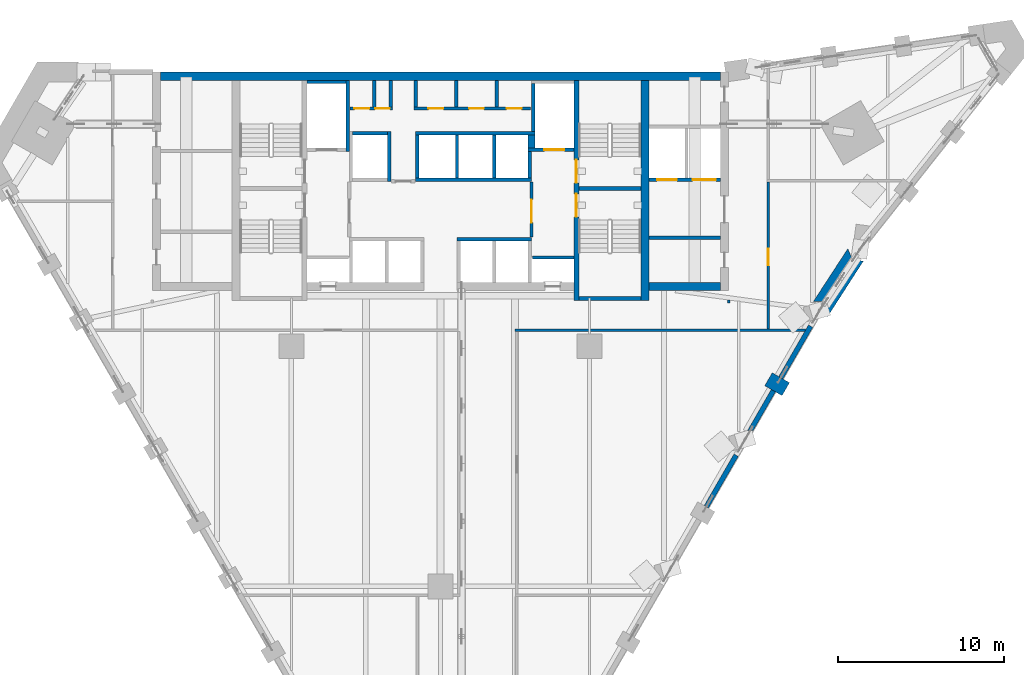
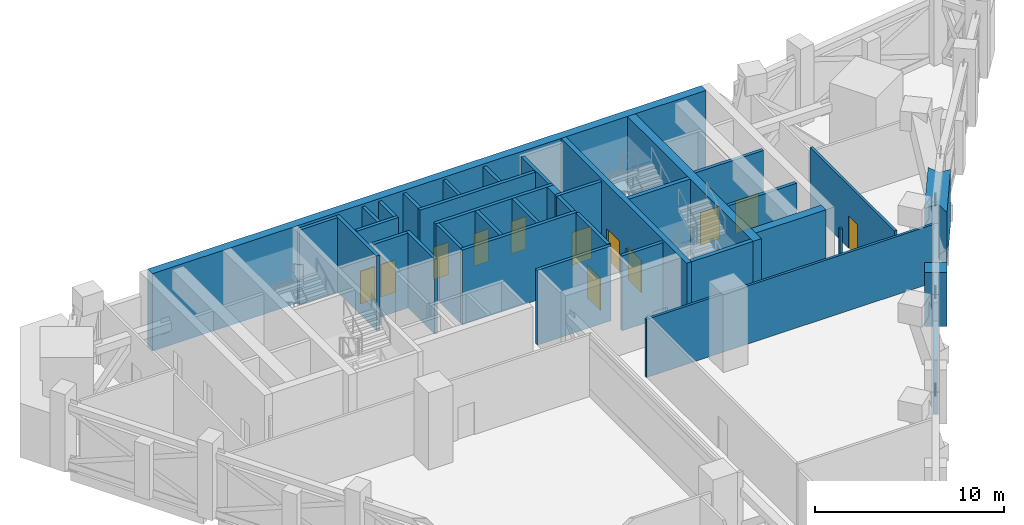
# One storey, part 10 of 20: 39 walls, 12 doors, 12 openings.
"""IFC4 building model written with IfcOpenShell, lengths in metres."""

from ifc_helpers import new_model, si_unit, direction, frame, frame_2d, origin, place, context, subcontext, project, spatial, polyline, rectangle, outline, extrude, material, layer, layer_set, type_object, element, fill, save


model = new_model("IFC4")

# Units and contexts
model_context = context("Model", 3, precision=1e-05, world=origin(), true_north=direction((0.0, 1.0)))
body_context = subcontext(model_context, "Body", "Model", "MODEL_VIEW")
ifc_project = project(units=[si_unit("LENGTHUNIT", "METRE"), si_unit("AREAUNIT", "SQUARE_METRE"), si_unit("VOLUMEUNIT", "CUBIC_METRE"), si_unit("PLANEANGLEUNIT", "RADIAN"), si_unit("MASSUNIT", "GRAM", prefix="KILO")], contexts=[model_context])

# Site, building, storey
site_placement = place(None, origin())
site = spatial("IfcSite", under=ifc_project, at=site_placement, CompositionType="ELEMENT")
building_placement = place(site_placement, origin())
building = spatial("IfcBuilding", under=site, at=building_placement, Name="Calabash Gate Tower", CompositionType="ELEMENT")
storey_placement = place(building_placement, frame((0.0, 0.0, 139.60009765625)))
storey = spatial("IfcBuildingStorey", under=building, at=storey_placement, Name="L32", CompositionType="ELEMENT", Elevation=139.60009765625)

# Walls
ifc_material_1 = material(Name="Terracotta brick masonry, exposed face", Category="masonry")
ifc_layer_1 = layer(ifc_material_1, 1.199951171875)
ifc_layer_set_1 = layer_set([ifc_layer_1], Name="Brick end wall 1200")
wall_type_1 = type_object("IfcWallType", Name="Brick end wall 1200", PredefinedType="SOLIDWALL", material=ifc_layer_set_1)
wall_1_placement = place(storey_placement, frame((19.8076171875, 0.503173828125, 0.0), z_axis=(0.0, 0.0, 1.0), x_axis=(0.866006032174, -0.500033551112, 0.0)))
element("IfcWall", 1, at=wall_1_placement, inside=storey, type_object=wall_type_1, Name="Brick pier L32 SE4.5", PredefinedType="SOLIDWALL", context=body_context, shape_type="SweptSolid", body=[
    extrude(rectangle(XDim=1.2001953125, YDim=0.89990234375, at=frame_2d((0.60009765625, 0.0))), origin(), (0.0, 0.0, 1.0), 3.5),
])
wall_2_placement = place(storey_placement, origin())
element("IfcWall", 2, at=wall_2_placement, inside=storey, type_object=wall_type_1, Name="Brick end wall L32 4", PredefinedType="SOLIDWALL", context=body_context, shape_type="SweptSolid", body=[
    extrude(outline(polyline([(24.5966796875, 8.38427734375), (22.52001953125, 5.200927734375), (23.3759765625, 5.200927734375), (23.3759765625, 4.283447265625), (25.537841796875, 7.639892578125), (24.8798828125, 7.720947265625), (24.5966796875, 8.38427734375)])), origin(), (0.0, 0.0, 1.0), 3.5),
])
ifc_material_2 = material(Name="Gypsum board on steel studs, mineral wool", Category="steel")
ifc_layer_2 = layer(ifc_material_2, 0.199951171875)
ifc_layer_set_2 = layer_set([ifc_layer_2], Name="Core partition 200 gypsum board")
wall_type_2 = type_object("IfcWallType", Name="Core partition 200 gypsum board", PredefinedType="PARTITIONING", material=ifc_layer_set_2)
wall_3_placement = place(storey_placement, frame((12.60009765625, 9.052490234375, 0.0), z_axis=(0.0, 0.0, 1.0), x_axis=(1.0, 0.0, 0.0)))
element("IfcWall", 3, at=wall_3_placement, inside=storey, type_object=wall_type_2, Name="Core partition", PredefinedType="PARTITIONING", context=body_context, shape_type="SweptSolid", body=[
    extrude(rectangle(XDim=4.2998046875, YDim=0.199951171875, at=frame_2d((2.14990234375, 0.0))), origin(), (0.0, 0.0, 1.0), 4.829833984375),
])
for number, where, z_axis, x_axis, name in (
    (4, (-4.0, 16.95263671875, 0.0), (0.0, 0.0, 1.0), (0.0, 1.0, 0.0), "Core partition"),
    (5, (-3.0, 16.95263671875, 0.0), (0.0, 0.0, 1.0), (0.0, 1.0, 0.0), "Core partition"),
    (6, (-1.5, 16.95263671875, 0.0), (0.0, 0.0, 1.0), (0.0, 1.0, 0.0), "Core partition"),
    (7, (0.949951171875, 16.95263671875, 0.0), (0.0, 0.0, 1.0), (0.0, 1.0, 0.0), "Core partition"),
    (8, (3.39990234375, 16.95263671875, 0.0), (0.0, 0.0, 1.0), (0.0, 1.0, 0.0), "Core partition"),
):
    element("IfcWall", number, at=place(storey_placement, frame(where, z_axis=z_axis, x_axis=x_axis)), inside=storey, type_object=wall_type_2, Name=name, PredefinedType="PARTITIONING", context=body_context, shape_type="SweptSolid", body=[
        extrude(rectangle(XDim=1.599853515625, YDim=0.199951171875, at=frame_2d((0.7998046875, 0.0))), origin(), (0.0, 0.0, 1.0), 4.829833984375),
    ])
ifc_material_3 = material(Name="Concrete C80/95", Category="concrete")
ifc_layer_3 = layer(ifc_material_3, 0.25)
ifc_layer_set_3 = layer_set([ifc_layer_3], Name="Core wall 250 Concrete C80/95")
wall_type_3 = type_object("IfcWallType", Name="Core wall 250 Concrete C80/95", PredefinedType="SHEAR", material=ifc_layer_set_3)
for number, where, z_axis, x_axis, name in (
    (9, (8.35009765625, 12.027587890625, 0.0), (0.0, 0.0, 1.0), (1.0, 0.0, 0.0), "Core wall Z2-MIDE L32"),
    (10, (8.35009765625, 5.377685546875, 0.0), (0.0, 0.0, 1.0), (1.0, 0.0, 0.0), "Core wall Z2-SSE L32"),
):
    element("IfcWall", number, at=place(storey_placement, frame(where, z_axis=z_axis, x_axis=x_axis)), inside=storey, type_object=wall_type_3, Name=name, PredefinedType="SHEAR", context=body_context, shape_type="SweptSolid", body=[
        extrude(rectangle(XDim=3.75, YDim=0.25, at=frame_2d((1.875, 0.0))), origin(), (0.0, 0.0, 1.0), 5.0),
    ])

# Wall, openings, doors
ifc_material_4 = material(Name="Concrete C80/95", Category="concrete")
ifc_layer_4 = layer(ifc_material_4, 0.300048828125)
ifc_layer_set_4 = layer_set([ifc_layer_4], Name="Core wall 300 Concrete C80/95")
wall_type_4 = type_object("IfcWallType", Name="Core wall 300 Concrete C80/95", PredefinedType="SHEAR", material=ifc_layer_set_4)
wall_4_placement = place(storey_placement, frame((8.199951171875, 5.252685546875, 0.0), z_axis=(0.0, 0.0, 1.0), x_axis=(0.0, 1.0, 0.0)))
wall_4 = element("IfcWall", 11, at=wall_4_placement, inside=storey, type_object=wall_type_4, Name="Core wall Z2-PARTE L32", PredefinedType="SHEAR", context=body_context, shape_type="SweptSolid", body=[
    extrude(rectangle(XDim=13.2998046875, YDim=0.300048828125, at=frame_2d((6.64990234375, 0.0))), origin(), (0.0, 0.0, 1.0), 5.0),
])
opening_1_placement = place(wall_4_placement, frame((7.10009765625, 0.0, 0.0)))
opening_1 = element("IfcOpeningElement", 12, at=opening_1_placement, cuts=wall_4, Name="Opening L32-003", PredefinedType="OPENING", context=body_context, shape_type="SweptSolid", body=[
    extrude(rectangle(XDim=1.39990234375, YDim=2.10009765625, at=frame_2d((0.699951171875, 1.050048828125))), frame((0.0, 0.159912109375, 0.0), z_axis=(0.0, -1.0, 0.0), x_axis=(1.0, 0.0, 0.0)), (0.0, 0.0, 1.0), 0.320068359375),
])
opening_2_placement = place(wall_4_placement, frame((5.050048828125, 0.0, 0.0)))
opening_2 = element("IfcOpeningElement", 13, at=opening_2_placement, cuts=wall_4, Name="Opening L32-004", PredefinedType="OPENING", context=body_context, shape_type="SweptSolid", body=[
    extrude(rectangle(XDim=1.39990234375, YDim=2.10009765625, at=frame_2d((0.699951171875, 1.050048828125))), frame((0.0, 0.159912109375, 0.0), z_axis=(0.0, -1.0, 0.0), x_axis=(1.0, 0.0, 0.0)), (0.0, 0.0, 1.0), 0.320068359375),
])
ifc_material_5 = material(Name="Steel fire door set with fire-resisting glazing", Category="steel")
door_type_1 = type_object("IfcDoorType", Name="Fire door D05 1400x2100 FD90", OperationType="NOTDEFINED", PredefinedType="DOOR", material=ifc_material_5)
door_1_placement = place(opening_1_placement, origin())
door_1 = element("IfcDoor", 14, at=door_1_placement, inside=storey, type_object=door_type_1, Name="Exit stair door ST3", OperationType="SINGLE_SWING_RIGHT", OverallHeight=2.10009765625, OverallWidth=1.39990234375, PredefinedType="DOOR", context=body_context, shape_type="SweptSolid", body=[
    extrude(rectangle(XDim=1.39990234375, YDim=2.10009765625, at=frame_2d((0.699951171875, 1.050048828125))), frame((0.0, 0.02490234375, 0.0), z_axis=(0.0, -1.0, 0.0), x_axis=(1.0, 0.0, 0.0)), (0.0, 0.0, 1.0), 0.050048828125),
])
fill(opening_1, door_1)
door_2_placement = place(opening_2_placement, origin())
door_2 = element("IfcDoor", 15, at=door_2_placement, inside=storey, type_object=door_type_1, Name="Exit stair door ST4", OperationType="SINGLE_SWING_LEFT", OverallHeight=2.10009765625, OverallWidth=1.39990234375, PredefinedType="DOOR", context=body_context, shape_type="SweptSolid", body=[
    extrude(rectangle(XDim=1.39990234375, YDim=2.10009765625, at=frame_2d((0.699951171875, 1.050048828125))), frame((0.0, 0.02490234375, 0.0), z_axis=(0.0, -1.0, 0.0), x_axis=(1.0, 0.0, 0.0)), (0.0, 0.0, 1.0), 0.050048828125),
])
fill(opening_2, door_2)

# Walls
ifc_material_6 = material(Name="Concrete C80/95", Category="concrete")
ifc_layer_5 = layer(ifc_material_6, 0.5)
ifc_layer_set_5 = layer_set([ifc_layer_5], Name="Core wall 500 Concrete C80/95")
wall_type_5 = type_object("IfcWallType", Name="Core wall 500 Concrete C80/95", PredefinedType="SHEAR", material=ifc_layer_set_5)
wall_5_placement = place(storey_placement, frame((-16.89990234375, 18.802490234375, 0.0), z_axis=(0.0, 0.0, 1.0), x_axis=(1.0, 0.0, 0.0)))
element("IfcWall", 16, at=wall_5_placement, inside=storey, type_object=wall_type_5, Name="Core wall Z2-N L32", PredefinedType="SHEAR", context=body_context, shape_type="SweptSolid", body=[
    extrude(rectangle(XDim=33.7998046875, YDim=0.5, at=frame_2d((16.89990234375, 0.0))), origin(), (0.0, 0.0, 1.0), 5.0),
])
wall_6_placement = place(storey_placement, frame((12.35009765625, 5.252685546875, 0.0), z_axis=(0.0, 0.0, 1.0), x_axis=(0.0, 1.0, 0.0)))
element("IfcWall", 17, at=wall_6_placement, inside=storey, type_object=wall_type_5, Name="Core wall Z2-COLE L32", PredefinedType="SHEAR", context=body_context, shape_type="SweptSolid", body=[
    extrude(rectangle(XDim=13.2998046875, YDim=0.5, at=frame_2d((6.64990234375, 0.0))), origin(), (0.0, 0.0, 1.0), 5.0),
])
wall_7_placement = place(storey_placement, frame((12.60009765625, 6.1025390625, 0.0), z_axis=(0.0, 0.0, 1.0), x_axis=(1.0, 0.0, 0.0)))
element("IfcWall", 18, at=wall_7_placement, inside=storey, type_object=wall_type_5, Name="Core wall Z2-SE L32", PredefinedType="SHEAR", context=body_context, shape_type="SweptSolid", body=[
    extrude(rectangle(XDim=4.2998046875, YDim=0.5, at=frame_2d((2.14990234375, 0.0))), origin(), (0.0, 0.0, 1.0), 5.0),
])
ifc_material_7 = material(Name="Gypsum board on steel studs, mineral wool", Category="steel")
ifc_layer_6 = layer(ifc_material_7, 0.14990234375)
ifc_layer_set_6 = layer_set([ifc_layer_6], Name="Partition 150 gypsum board")
wall_type_6 = type_object("IfcWallType", Name="Partition 150 gypsum board", PredefinedType="PARTITIONING", material=ifc_layer_set_6)
wall_8_placement = place(storey_placement, frame((4.4951171875, 3.45263671875, 0.0), z_axis=(0.0, 0.0, 1.0), x_axis=(1.0, 0.0, 0.0)))
element("IfcWall", 19, at=wall_8_placement, inside=storey, type_object=wall_type_6, Name="Partition", PredefinedType="PARTITIONING", context=body_context, shape_type="SweptSolid", body=[
    extrude(rectangle(XDim=17.55517578125, YDim=0.14990234375, at=frame_2d((8.777587890625, 0.0))), origin(), (0.0, 0.0, 1.0), 3.751953125),
])

# Wall, opening, door
wall_9_placement = place(storey_placement, frame((19.800048828125, 3.527587890625, 0.0), z_axis=(0.0, 0.0, 1.0), x_axis=(0.0, 1.0, 0.0)))
wall_9 = element("IfcWall", 20, at=wall_9_placement, inside=storey, type_object=wall_type_6, Name="Partition", PredefinedType="PARTITIONING", context=body_context, shape_type="SweptSolid", body=[
    extrude(rectangle(XDim=8.89453125, YDim=0.14990234375, at=frame_2d((4.447265625, 0.0))), origin(), (0.0, 0.0, 1.0), 4.050048828125),
])
opening_3_placement = place(wall_9_placement, frame((3.869384765625, 0.0, 0.0)))
opening_3 = element("IfcOpeningElement", 21, at=opening_3_placement, cuts=wall_9, Name="Opening L32-024", PredefinedType="OPENING", context=body_context, shape_type="SweptSolid", body=[
    extrude(rectangle(XDim=1.0, YDim=2.10009765625, at=frame_2d((0.5, 1.050048828125))), frame((0.0, 0.0849609375, 0.0), z_axis=(0.0, -1.0, 0.0), x_axis=(1.0, 0.0, 0.0)), (0.0, 0.0, 1.0), 0.169921875),
])
ifc_material_8 = material(Name="Steel fire door set with fire-resisting glazing", Category="steel")
door_type_2 = type_object("IfcDoorType", Name="Fire door D11 1000x2100 FD60", OperationType="NOTDEFINED", PredefinedType="DOOR", material=ifc_material_8)
door_3_placement = place(opening_3_placement, origin())
door_3 = element("IfcDoor", 22, at=door_3_placement, inside=storey, type_object=door_type_2, Name="Electrical Switch Room door", OperationType="SINGLE_SWING_RIGHT", OverallHeight=2.10009765625, OverallWidth=1.0, PredefinedType="DOOR", context=body_context, shape_type="SweptSolid", body=[
    extrude(rectangle(XDim=1.0, YDim=2.10009765625, at=frame_2d((0.5, 1.050048828125))), frame((0.0, 0.02490234375, 0.0), z_axis=(0.0, -1.0, 0.0), x_axis=(1.0, 0.0, 0.0)), (0.0, 0.0, 1.0), 0.050048828125),
])
fill(opening_3, door_3)

# Walls
wall_10_placement = place(storey_placement, frame((17.39990234375, 5.09765625, 0.0), z_axis=(0.0, 0.0, 1.0), x_axis=(0.0, 1.0, 0.0)))
element("IfcWall", 23, at=wall_10_placement, inside=storey, type_object=wall_type_6, Name="Partition", PredefinedType="PARTITIONING", context=body_context, shape_type="SweptSolid", body=[
    extrude(rectangle(XDim=0.179931640625, YDim=0.14990234375, at=frame_2d((0.08984375, 0.0))), origin(), (0.0, 0.0, 1.0), 4.050048828125),
])
ifc_material_9 = material(Name="Concrete C40/50", Category="concrete")
ifc_layer_7 = layer(ifc_material_9, 0.199951171875)
ifc_layer_set_7 = layer_set([ifc_layer_7], Name="Shaft wall 200 Concrete C40/50")
wall_type_7 = type_object("IfcWallType", Name="Shaft wall 200 Concrete C40/50", PredefinedType="SOLIDWALL", material=ifc_layer_set_7)
wall_11_placement = place(storey_placement, frame((5.550048828125, 7.8525390625, 0.0), z_axis=(0.0, 0.0, 1.0), x_axis=(1.0, 0.0, 0.0)))
element("IfcWall", 24, at=wall_11_placement, inside=storey, type_object=wall_type_7, Name="Shaft wall", PredefinedType="SOLIDWALL", context=body_context, shape_type="SweptSolid", body=[
    extrude(rectangle(XDim=2.5, YDim=0.199951171875, at=frame_2d((1.25, 0.0))), origin(), (0.0, 0.0, 1.0), 4.829833984375),
])
wall_12_placement = place(storey_placement, frame((1.0, 8.95263671875, 0.0), z_axis=(0.0, 0.0, 1.0), x_axis=(1.0, 0.0, 0.0)))
element("IfcWall", 25, at=wall_12_placement, inside=storey, type_object=wall_type_7, Name="Shaft wall", PredefinedType="SOLIDWALL", context=body_context, shape_type="SweptSolid", body=[
    extrude(rectangle(XDim=4.5, YDim=0.199951171875, at=frame_2d((2.25, 0.0))), origin(), (0.0, 0.0, 1.0), 4.829833984375),
])

# Wall, opening, door
wall_13_placement = place(storey_placement, frame((5.5, 9.1025390625, 0.0), z_axis=(0.0, 0.0, 1.0), x_axis=(0.0, 1.0, 0.0)))
wall_13 = element("IfcWall", 26, at=wall_13_placement, inside=storey, type_object=wall_type_7, Name="Shaft wall", PredefinedType="SOLIDWALL", context=body_context, shape_type="SweptSolid", body=[
    extrude(rectangle(XDim=3.300048828125, YDim=0.199951171875, at=frame_2d((1.64990234375, 0.0))), origin(), (0.0, 0.0, 1.0), 4.829833984375),
])
opening_4_placement = place(wall_13_placement, frame((0.85009765625, 0.0, 0.0)))
opening_4 = element("IfcOpeningElement", 27, at=opening_4_placement, cuts=wall_13, Name="Opening L32-007", PredefinedType="OPENING", context=body_context, shape_type="SweptSolid", body=[
    extrude(rectangle(XDim=1.39990234375, YDim=2.10009765625, at=frame_2d((0.699951171875, 1.050048828125))), frame((0.0, 0.10986328125, 0.0), z_axis=(0.0, -1.0, 0.0), x_axis=(1.0, 0.0, 0.0)), (0.0, 0.0, 1.0), 0.219970703125),
])
door_4_placement = place(opening_4_placement, origin())
door_4 = element("IfcDoor", 28, at=door_4_placement, inside=storey, type_object=door_type_1, Name="Firefighting Lobby E door", OperationType="SINGLE_SWING_LEFT", OverallHeight=2.10009765625, OverallWidth=1.39990234375, PredefinedType="DOOR", context=body_context, shape_type="SweptSolid", body=[
    extrude(rectangle(XDim=1.39990234375, YDim=2.10009765625, at=frame_2d((0.699951171875, 1.050048828125))), frame((0.0, 0.02490234375, 0.0), z_axis=(0.0, -1.0, 0.0), x_axis=(1.0, 0.0, 0.0)), (0.0, 0.0, 1.0), 0.050048828125),
])
fill(opening_4, door_4)

# Walls
wall_14_placement = place(storey_placement, frame((-3.10009765625, 12.45263671875, 0.0), z_axis=(0.0, 0.0, 1.0), x_axis=(0.0, 1.0, 0.0)))
element("IfcWall", 29, at=wall_14_placement, inside=storey, type_object=wall_type_7, Name="Shaft wall", PredefinedType="SOLIDWALL", context=body_context, shape_type="SweptSolid", body=[
    extrude(rectangle(XDim=3.0, YDim=0.199951171875, at=frame_2d((1.5, 0.0))), origin(), (0.0, 0.0, 1.0), 4.829833984375),
])
wall_15_placement = place(storey_placement, frame((-1.5, 12.552490234375, 0.0), z_axis=(0.0, 0.0, 1.0), x_axis=(1.0, 0.0, 0.0)))
element("IfcWall", 30, at=wall_15_placement, inside=storey, type_object=wall_type_7, Name="Shaft wall", PredefinedType="SOLIDWALL", context=body_context, shape_type="SweptSolid", body=[
    extrude(rectangle(XDim=7.0, YDim=0.199951171875, at=frame_2d((3.5, 0.0))), origin(), (0.0, 0.0, 1.0), 4.829833984375),
])

# Wall, openings, doors
wall_16_placement = place(storey_placement, frame((12.60009765625, 12.552490234375, 0.0), z_axis=(0.0, 0.0, 1.0), x_axis=(1.0, 0.0, 0.0)))
wall_16 = element("IfcWall", 31, at=wall_16_placement, inside=storey, type_object=wall_type_7, Name="Shaft wall", PredefinedType="SOLIDWALL", context=body_context, shape_type="SweptSolid", body=[
    extrude(rectangle(XDim=4.2998046875, YDim=0.199951171875, at=frame_2d((2.14990234375, 0.0))), origin(), (0.0, 0.0, 1.0), 4.829833984375),
])
opening_5_placement = place(wall_16_placement, frame((0.47509765625, 0.0, 0.0)))
opening_5 = element("IfcOpeningElement", 32, at=opening_5_placement, cuts=wall_16, Name="Opening LD-SL1", PredefinedType="OPENING", context=body_context, shape_type="SweptSolid", body=[
    extrude(rectangle(XDim=1.199951171875, YDim=2.10009765625, at=frame_2d((0.60009765625, 1.050048828125))), frame((0.0, 0.10986328125, 0.0), z_axis=(0.0, -1.0, 0.0), x_axis=(1.0, 0.0, 0.0)), (0.0, 0.0, 1.0), 0.219970703125),
])
opening_6_placement = place(wall_16_placement, frame((2.625, 0.0, 0.0)))
opening_6 = element("IfcOpeningElement", 33, at=opening_6_placement, cuts=wall_16, Name="Opening LD-GL1", PredefinedType="OPENING", context=body_context, shape_type="SweptSolid", body=[
    extrude(rectangle(XDim=1.39990234375, YDim=2.10009765625, at=frame_2d((0.699951171875, 1.050048828125))), frame((0.0, 0.10986328125, 0.0), z_axis=(0.0, -1.0, 0.0), x_axis=(1.0, 0.0, 0.0)), (0.0, 0.0, 1.0), 0.219970703125),
])
ifc_material_10 = material(Name="Stainless steel sliding door leaves", Category="steel")
door_type_3 = type_object("IfcDoorType", Name="Lift landing door LS3 1200x2100 FD90", OperationType="DOUBLE_DOOR_SLIDING", PredefinedType="DOOR", material=ifc_material_10)
door_5_placement = place(opening_5_placement, origin())
door_5 = element("IfcDoor", 34, at=door_5_placement, inside=storey, type_object=door_type_3, Name="Lift landing door SL1", OperationType="DOUBLE_DOOR_SLIDING", OverallHeight=2.10009765625, OverallWidth=1.199951171875, PredefinedType="DOOR", context=body_context, shape_type="SweptSolid", body=[
    extrude(rectangle(XDim=1.199951171875, YDim=2.10009765625, at=frame_2d((0.60009765625, 1.050048828125))), frame((0.0, 0.02490234375, 0.0), z_axis=(0.0, -1.0, 0.0), x_axis=(1.0, 0.0, 0.0)), (0.0, 0.0, 1.0), 0.050048828125),
])
fill(opening_5, door_5)
ifc_material_11 = material(Name="Stainless steel sliding door leaves", Category="steel")
door_type_4 = type_object("IfcDoorType", Name="Lift landing door LS4 1400x2100 FD90", OperationType="DOUBLE_DOOR_SLIDING", PredefinedType="DOOR", material=ifc_material_11)
door_6_placement = place(opening_6_placement, origin())
door_6 = element("IfcDoor", 35, at=door_6_placement, inside=storey, type_object=door_type_4, Name="Lift landing door GL1", OperationType="DOUBLE_DOOR_SLIDING", OverallHeight=2.10009765625, OverallWidth=1.39990234375, PredefinedType="DOOR", context=body_context, shape_type="SweptSolid", body=[
    extrude(rectangle(XDim=1.39990234375, YDim=2.10009765625, at=frame_2d((0.699951171875, 1.050048828125))), frame((0.0, 0.02490234375, 0.0), z_axis=(0.0, -1.0, 0.0), x_axis=(1.0, 0.0, 0.0)), (0.0, 0.0, 1.0), 0.050048828125),
])
fill(opening_6, door_6)

# Walls
for number, where, z_axis, x_axis, name in (
    (36, (-1.39990234375, 12.652587890625, 0.0), (0.0, 0.0, 1.0), (0.0, 1.0, 0.0), "Shaft wall"),
    (37, (1.0, 12.652587890625, 0.0), (0.0, 0.0, 1.0), (0.0, 1.0, 0.0), "Shaft wall"),
    (38, (3.25, 12.652587890625, 0.0), (0.0, 0.0, 1.0), (0.0, 1.0, 0.0), "Shaft wall"),
):
    element("IfcWall", number, at=place(storey_placement, frame(where, z_axis=z_axis, x_axis=x_axis)), inside=storey, type_object=wall_type_7, Name=name, PredefinedType="SOLIDWALL", context=body_context, shape_type="SweptSolid", body=[
        extrude(rectangle(XDim=2.60009765625, YDim=0.199951171875, at=frame_2d((1.300048828125, 0.0))), origin(), (0.0, 0.0, 1.0), 4.829833984375),
    ])
wall_17_placement = place(storey_placement, frame((5.39990234375, 12.652587890625, 0.0), z_axis=(0.0, 0.0, 1.0), x_axis=(0.0, 1.0, 0.0)))
element("IfcWall", 39, at=wall_17_placement, inside=storey, type_object=wall_type_7, Name="Shaft wall", PredefinedType="SOLIDWALL", context=body_context, shape_type="SweptSolid", body=[
    extrude(rectangle(XDim=1.60009765625, YDim=0.199951171875, at=frame_2d((0.800048828125, 0.0))), origin(), (0.0, 0.0, 1.0), 4.829833984375),
])
wall_18_placement = place(storey_placement, frame((-5.60009765625, 14.252685546875, 0.0), z_axis=(0.0, 0.0, 1.0), x_axis=(0.0, 1.0, 0.0)))
element("IfcWall", 40, at=wall_18_placement, inside=storey, type_object=wall_type_7, Name="Shaft wall", PredefinedType="SOLIDWALL", context=body_context, shape_type="SweptSolid", body=[
    extrude(rectangle(XDim=4.2998046875, YDim=0.199951171875, at=frame_2d((2.14990234375, 0.0))), origin(), (0.0, 0.0, 1.0), 4.829833984375),
])

# Wall, opening, door
wall_19_placement = place(storey_placement, frame((5.300048828125, 14.3525390625, 0.0), z_axis=(0.0, 0.0, 1.0), x_axis=(1.0, 0.0, 0.0)))
wall_19 = element("IfcWall", 41, at=wall_19_placement, inside=storey, type_object=wall_type_7, Name="Shaft wall", PredefinedType="SOLIDWALL", context=body_context, shape_type="SweptSolid", body=[
    extrude(rectangle(XDim=2.75, YDim=0.199951171875, at=frame_2d((1.375, 0.0))), origin(), (0.0, 0.0, 1.0), 4.829833984375),
])
opening_7_placement = place(wall_19_placement, frame((0.97509765625, 0.0, 0.0)))
opening_7 = element("IfcOpeningElement", 42, at=opening_7_placement, cuts=wall_19, Name="Opening LD-FF2", PredefinedType="OPENING", context=body_context, shape_type="SweptSolid", body=[
    extrude(rectangle(XDim=1.199951171875, YDim=2.10009765625, at=frame_2d((0.60009765625, 1.050048828125))), frame((0.0, 0.10986328125, 0.0), z_axis=(0.0, -1.0, 0.0), x_axis=(1.0, 0.0, 0.0)), (0.0, 0.0, 1.0), 0.219970703125),
])
door_7_placement = place(opening_7_placement, origin())
door_7 = element("IfcDoor", 43, at=door_7_placement, inside=storey, type_object=door_type_3, Name="Lift landing door FF2", OperationType="DOUBLE_DOOR_SLIDING", OverallHeight=2.10009765625, OverallWidth=1.199951171875, PredefinedType="DOOR", context=body_context, shape_type="SweptSolid", body=[
    extrude(rectangle(XDim=1.199951171875, YDim=2.10009765625, at=frame_2d((0.60009765625, 1.050048828125))), frame((0.0, 0.02490234375, 0.0), z_axis=(0.0, -1.0, 0.0), x_axis=(1.0, 0.0, 0.0)), (0.0, 0.0, 1.0), 0.050048828125),
])
fill(opening_7, door_7)

# Walls
wall_20_placement = place(storey_placement, frame((5.5, 14.45263671875, 0.0), z_axis=(0.0, 0.0, 1.0), x_axis=(0.0, 1.0, 0.0)))
element("IfcWall", 44, at=wall_20_placement, inside=storey, type_object=wall_type_7, Name="Shaft wall", PredefinedType="SOLIDWALL", context=body_context, shape_type="SweptSolid", body=[
    extrude(rectangle(XDim=0.800048828125, YDim=0.39990234375, at=frame_2d((0.39990234375, 0.0))), origin(), (0.0, 0.0, 1.0), 4.829833984375),
])
wall_21_placement = place(storey_placement, frame((-5.300048828125, 15.3525390625, 0.0), z_axis=(0.0, 0.0, 1.0), x_axis=(1.0, 0.0, 0.0)))
element("IfcWall", 45, at=wall_21_placement, inside=storey, type_object=wall_type_7, Name="Shaft wall", PredefinedType="SOLIDWALL", context=body_context, shape_type="SweptSolid", body=[
    extrude(rectangle(XDim=2.10009765625, YDim=0.199951171875, at=frame_2d((1.050048828125, 0.0))), origin(), (0.0, 0.0, 1.0), 4.829833984375),
])
wall_22_placement = place(storey_placement, frame((-1.5, 15.3525390625, 0.0), z_axis=(0.0, 0.0, 1.0), x_axis=(1.0, 0.0, 0.0)))
element("IfcWall", 46, at=wall_22_placement, inside=storey, type_object=wall_type_7, Name="Shaft wall", PredefinedType="SOLIDWALL", context=body_context, shape_type="SweptSolid", body=[
    extrude(rectangle(XDim=7.199951171875, YDim=0.199951171875, at=frame_2d((3.60009765625, 0.0))), origin(), (0.0, 0.0, 1.0), 4.829833984375),
])
wall_23_placement = place(storey_placement, frame((5.60009765625, 15.45263671875, 0.0), z_axis=(0.0, 0.0, 1.0), x_axis=(0.0, 1.0, 0.0)))
element("IfcWall", 47, at=wall_23_placement, inside=storey, type_object=wall_type_7, Name="Shaft wall", PredefinedType="SOLIDWALL", context=body_context, shape_type="SweptSolid", body=[
    extrude(rectangle(XDim=2.89990234375, YDim=0.199951171875, at=frame_2d((1.449951171875, 0.0))), origin(), (0.0, 0.0, 1.0), 4.829833984375),
])

# Wall, openings, doors
wall_24_placement = place(storey_placement, frame((-5.449951171875, 16.8525390625, 0.0), z_axis=(0.0, 0.0, 1.0), x_axis=(1.0, 0.0, 0.0)))
wall_24 = element("IfcWall", 48, at=wall_24_placement, inside=storey, type_object=wall_type_7, Name="Shaft wall", PredefinedType="SOLIDWALL", context=body_context, shape_type="SweptSolid", body=[
    extrude(rectangle(XDim=2.550048828125, YDim=0.199951171875, at=frame_2d((1.27490234375, 0.0))), origin(), (0.0, 0.0, 1.0), 4.829833984375),
])
opening_8_placement = place(wall_24_placement, frame((0.25, 0.0, 0.0)))
opening_8 = element("IfcOpeningElement", 49, at=opening_8_placement, cuts=wall_24, Name="Opening L32-008", PredefinedType="OPENING", context=body_context, shape_type="SweptSolid", body=[
    extrude(rectangle(XDim=0.89990234375, YDim=2.10009765625, at=frame_2d((0.449951171875, 1.050048828125))), frame((0.0, 0.10986328125, 0.0), z_axis=(0.0, -1.0, 0.0), x_axis=(1.0, 0.0, 0.0)), (0.0, 0.0, 1.0), 0.219970703125),
])
opening_9_placement = place(wall_24_placement, frame((1.5, 0.0, 0.0)))
opening_9 = element("IfcOpeningElement", 50, at=opening_9_placement, cuts=wall_24, Name="Opening L32-009", PredefinedType="OPENING", context=body_context, shape_type="SweptSolid", body=[
    extrude(rectangle(XDim=0.89990234375, YDim=2.10009765625, at=frame_2d((0.449951171875, 1.050048828125))), frame((0.0, 0.10986328125, 0.0), z_axis=(0.0, -1.0, 0.0), x_axis=(1.0, 0.0, 0.0)), (0.0, 0.0, 1.0), 0.219970703125),
])
ifc_material_12 = material(Name="Steel fire door set with fire-resisting glazing", Category="steel")
door_type_5 = type_object("IfcDoorType", Name="Fire door D06 900x2100 FD60", OperationType="NOTDEFINED", PredefinedType="DOOR", material=ifc_material_12)
door_8_placement = place(opening_8_placement, origin())
door_8 = element("IfcDoor", 51, at=door_8_placement, inside=storey, type_object=door_type_5, Name="HV Transformer Room door", OperationType="SINGLE_SWING_LEFT", OverallHeight=2.10009765625, OverallWidth=0.89990234375, PredefinedType="DOOR", context=body_context, shape_type="SweptSolid", body=[
    extrude(rectangle(XDim=0.89990234375, YDim=2.10009765625, at=frame_2d((0.449951171875, 1.050048828125))), frame((0.0, 0.02490234375, 0.0), z_axis=(0.0, -1.0, 0.0), x_axis=(1.0, 0.0, 0.0)), (0.0, 0.0, 1.0), 0.050048828125),
])
fill(opening_8, door_8)
door_9_placement = place(opening_9_placement, origin())
door_9 = element("IfcDoor", 52, at=door_9_placement, inside=storey, type_object=door_type_5, Name="Chilled Water Plant door", OperationType="SINGLE_SWING_LEFT", OverallHeight=2.10009765625, OverallWidth=0.89990234375, PredefinedType="DOOR", context=body_context, shape_type="SweptSolid", body=[
    extrude(rectangle(XDim=0.89990234375, YDim=2.10009765625, at=frame_2d((0.449951171875, 1.050048828125))), frame((0.0, 0.02490234375, 0.0), z_axis=(0.0, -1.0, 0.0), x_axis=(1.0, 0.0, 0.0)), (0.0, 0.0, 1.0), 0.050048828125),
])
fill(opening_9, door_9)

wall_25_placement = place(storey_placement, frame((-1.60009765625, 16.8525390625, 0.0), z_axis=(0.0, 0.0, 1.0), x_axis=(1.0, 0.0, 0.0)))
wall_25 = element("IfcWall", 53, at=wall_25_placement, inside=storey, type_object=wall_type_7, Name="Shaft wall", PredefinedType="SOLIDWALL", context=body_context, shape_type="SweptSolid", body=[
    extrude(rectangle(XDim=7.050048828125, YDim=0.199951171875, at=frame_2d((3.52490234375, 0.0))), origin(), (0.0, 0.0, 1.0), 4.829833984375),
])
opening_10_placement = place(wall_25_placement, frame((0.875, 0.0, 0.0)))
opening_10 = element("IfcOpeningElement", 54, at=opening_10_placement, cuts=wall_25, Name="Opening L32-010", PredefinedType="OPENING", context=body_context, shape_type="SweptSolid", body=[
    extrude(rectangle(XDim=0.89990234375, YDim=2.10009765625, at=frame_2d((0.449951171875, 1.050048828125))), frame((0.0, 0.10986328125, 0.0), z_axis=(0.0, -1.0, 0.0), x_axis=(1.0, 0.0, 0.0)), (0.0, 0.0, 1.0), 0.219970703125),
])
opening_11_placement = place(wall_25_placement, frame((3.324951171875, 0.0, 0.0)))
opening_11 = element("IfcOpeningElement", 55, at=opening_11_placement, cuts=wall_25, Name="Opening L32-011", PredefinedType="OPENING", context=body_context, shape_type="SweptSolid", body=[
    extrude(rectangle(XDim=0.89990234375, YDim=2.10009765625, at=frame_2d((0.449951171875, 1.050048828125))), frame((0.0, 0.10986328125, 0.0), z_axis=(0.0, -1.0, 0.0), x_axis=(1.0, 0.0, 0.0)), (0.0, 0.0, 1.0), 0.219970703125),
])
opening_12_placement = place(wall_25_placement, frame((5.60009765625, 0.0, 0.0)))
opening_12 = element("IfcOpeningElement", 56, at=opening_12_placement, cuts=wall_25, Name="Opening L32-012", PredefinedType="OPENING", context=body_context, shape_type="SweptSolid", body=[
    extrude(rectangle(XDim=0.89990234375, YDim=2.10009765625, at=frame_2d((0.449951171875, 1.050048828125))), frame((0.0, 0.10986328125, 0.0), z_axis=(0.0, -1.0, 0.0), x_axis=(1.0, 0.0, 0.0)), (0.0, 0.0, 1.0), 0.219970703125),
])
door_10_placement = place(opening_10_placement, origin())
door_10 = element("IfcDoor", 57, at=door_10_placement, inside=storey, type_object=door_type_5, Name="Mechanical Pump Room door", OperationType="SINGLE_SWING_LEFT", OverallHeight=2.10009765625, OverallWidth=0.89990234375, PredefinedType="DOOR", context=body_context, shape_type="SweptSolid", body=[
    extrude(rectangle(XDim=0.89990234375, YDim=2.10009765625, at=frame_2d((0.449951171875, 1.050048828125))), frame((0.0, 0.02490234375, 0.0), z_axis=(0.0, -1.0, 0.0), x_axis=(1.0, 0.0, 0.0)), (0.0, 0.0, 1.0), 0.050048828125),
])
fill(opening_10, door_10)
door_11_placement = place(opening_11_placement, origin())
door_11 = element("IfcDoor", 58, at=door_11_placement, inside=storey, type_object=door_type_5, Name="Heat Exchanger Plant Room door", OperationType="SINGLE_SWING_LEFT", OverallHeight=2.10009765625, OverallWidth=0.89990234375, PredefinedType="DOOR", context=body_context, shape_type="SweptSolid", body=[
    extrude(rectangle(XDim=0.89990234375, YDim=2.10009765625, at=frame_2d((0.449951171875, 1.050048828125))), frame((0.0, 0.02490234375, 0.0), z_axis=(0.0, -1.0, 0.0), x_axis=(1.0, 0.0, 0.0)), (0.0, 0.0, 1.0), 0.050048828125),
])
fill(opening_11, door_11)
door_12_placement = place(opening_12_placement, origin())
door_12 = element("IfcDoor", 59, at=door_12_placement, inside=storey, type_object=door_type_5, Name="Mechanical Fan Room door", OperationType="SINGLE_SWING_RIGHT", OverallHeight=2.10009765625, OverallWidth=0.89990234375, PredefinedType="DOOR", context=body_context, shape_type="SweptSolid", body=[
    extrude(rectangle(XDim=0.89990234375, YDim=2.10009765625, at=frame_2d((0.449951171875, 1.050048828125))), frame((0.0, 0.02490234375, 0.0), z_axis=(0.0, -1.0, 0.0), x_axis=(1.0, 0.0, 0.0)), (0.0, 0.0, 1.0), 0.050048828125),
])
fill(opening_12, door_12)

# Walls
wall_26_placement = place(storey_placement, frame((-8.050048828125, 18.45263671875, 0.0), z_axis=(0.0, 0.0, 1.0), x_axis=(1.0, 0.0, 0.0)))
element("IfcWall", 60, at=wall_26_placement, inside=storey, type_object=wall_type_7, Name="Shaft wall", PredefinedType="SOLIDWALL", context=body_context, shape_type="SweptSolid", body=[
    extrude(rectangle(XDim=2.35009765625, YDim=0.199951171875, at=frame_2d((1.175048828125, 0.0))), origin(), (0.0, 0.0, 1.0), 4.829833984375),
])
ifc_material_13 = material(Name="Terracotta louvre blades in an aluminium frame", Category="masonry")
ifc_layer_8 = layer(ifc_material_13, 0.300048828125)
ifc_layer_set_8 = layer_set([ifc_layer_8], Name="Terracotta louvre wall 300")
wall_type_8 = type_object("IfcWallType", Name="Terracotta louvre wall 300", PredefinedType="ELEMENTEDWALL", material=ifc_layer_set_8)
wall_27_placement = place(storey_placement, frame((16.05224609375, -7.201416015625, 0.0), z_axis=(0.0, 0.0, 1.0), x_axis=(0.500012057535, 0.866018442252, 0.0)))
element("IfcWall", 61, at=wall_27_placement, inside=storey, type_object=wall_type_8, Name="LOUVRE L32 SE4.4", PredefinedType="ELEMENTEDWALL", context=body_context, shape_type="SweptSolid", body=[
    extrude(rectangle(XDim=3.60009765625, YDim=0.300048828125, at=frame_2d((1.800048828125, 0.0))), origin(), (0.0, 0.0, 1.0), 3.5),
])
wall_28_placement = place(storey_placement, origin())
element("IfcWall", 62, at=wall_28_placement, inside=storey, type_object=wall_type_8, Name="LOUVRE L32 SE4.5", PredefinedType="ELEMENTEDWALL", context=body_context, shape_type="SweptSolid", body=[
    extrude(outline(polyline([(19.972412109375, -0.111572265625), (18.539794921875, -2.593017578125), (18.8759765625, -2.593017578125), (18.8759765625, -2.610595703125), (20.232177734375, -0.26171875), (19.972412109375, -0.111572265625)])), origin(), (0.0, 0.0, 1.0), 3.5),
])
wall_29_placement = place(storey_placement, frame((20.55224609375, 0.5927734375, 0.0), z_axis=(0.0, 0.0, 1.0), x_axis=(0.500012057535, 0.866018442252, 0.0)))
element("IfcWall", 63, at=wall_29_placement, inside=storey, type_object=wall_type_8, Name="LOUVRE L32 SE4.6", PredefinedType="ELEMENTEDWALL", context=body_context, shape_type="SweptSolid", body=[
    extrude(rectangle(XDim=3.60009765625, YDim=0.300048828125, at=frame_2d((1.800048828125, 0.0))), origin(), (0.0, 0.0, 1.0), 3.5),
])

save(model, "model.ifc")
